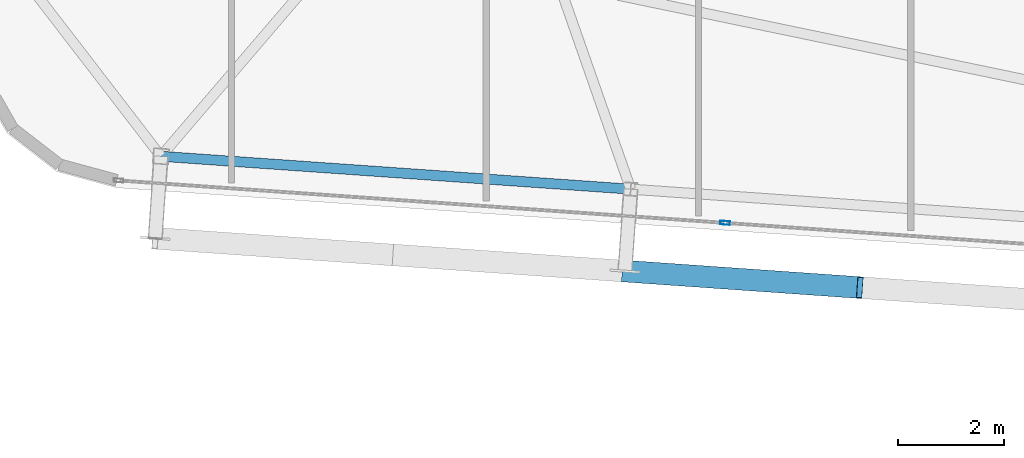
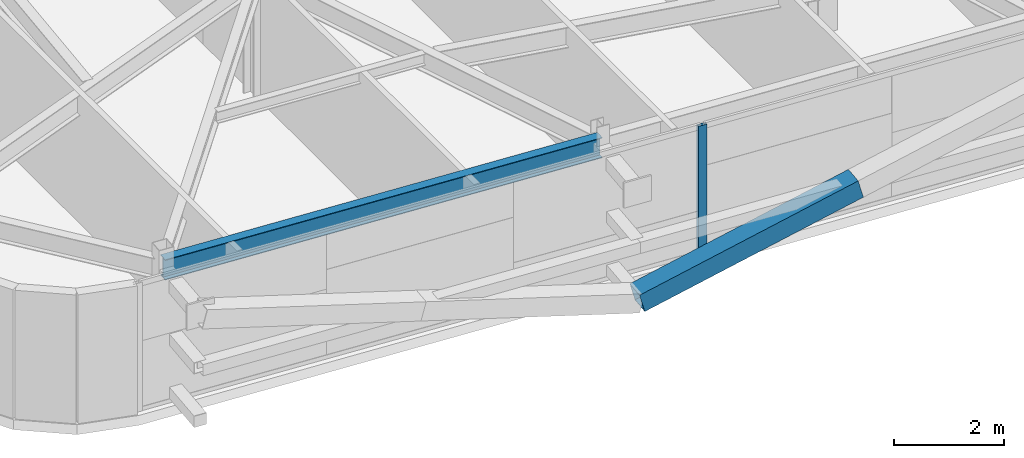
# One storey, part 7 of 39: 2 members, 1 beam, 1 element without a shape of its own.
"""IFC4 building model written with IfcOpenShell, lengths in metres."""

from ifc_helpers import new_model, si_unit, direction, frame, origin, origin_2d, place, context, subcontext, project, spatial, hollow_rectangle, i_section, extrude, source, transform, mapped, material, layer, layer_set, material_profile, profile_set, type_object, element, aggregate, save


model = new_model("IFC4")

# Units and contexts
model_context = context("Model", 3, precision=1e-05, world=origin(), true_north=direction((0.0, 1.0)))
body_context = subcontext(model_context, "Body", "Model", "MODEL_VIEW")
ifc_project = project(units=[si_unit("LENGTHUNIT", "METRE"), si_unit("AREAUNIT", "SQUARE_METRE"), si_unit("VOLUMEUNIT", "CUBIC_METRE"), si_unit("PLANEANGLEUNIT", "RADIAN"), si_unit("MASSUNIT", "GRAM", prefix="KILO")], contexts=[model_context])

# Site, building, storey
site_placement = place(None, origin())
site = spatial("IfcSite", under=ifc_project, at=site_placement, CompositionType="ELEMENT")
building_placement = place(site_placement, origin())
building = spatial("IfcBuilding", under=site, at=building_placement, Name="Taldren Reach Tower", CompositionType="ELEMENT")
storey_placement = place(building_placement, frame((0.0, 0.0, 161.35009765625)))
storey = spatial("IfcBuildingStorey", under=building, at=storey_placement, Name="L49", CompositionType="ELEMENT", Elevation=161.35009765625)

# Beam
ifc_material_1 = material(Name="Steel Gr 350 (350PLUS)", Category="steel")
ifc_material_profile_1 = material_profile(ifc_material_1, i_section(OverallWidth=0.18994140625, OverallDepth=0.4541015625, WebThickness=0.008544921875, FlangeThickness=0.0126953125, at=origin_2d()), Name="460UB67.1")
ifc_profile_set_1 = profile_set([ifc_material_profile_1], Name="Steel Gr 350 (350PLUS)")
beam_type = type_object("IfcBeamType", Name="SP-UB460B", PredefinedType="SPANDREL", material=ifc_profile_set_1)
shared_shape_1 = source(origin(), body_context, "Body", "SweptSolid", [
    extrude(i_section(OverallWidth=0.18994140625, OverallDepth=0.4541015625, WebThickness=0.008544921875, FlangeThickness=0.0126953125, at=origin_2d()), origin(), (0.0, 0.0, 1.0), 8.880126953125),
])
beam_placement = place(storey_placement, frame((11.863525390625, 5.33837890625, 2.642822265625), z_axis=(0.997564479639, -0.069750333063, 0.0), x_axis=(0.069750333063, 0.997564479639, 0.0)))
element("IfcBeam", 1, at=beam_placement, inside=storey, type_object=beam_type, Name="Perimeter spandrel B3 S1-S2 L49", PredefinedType="SPANDREL", context=body_context, shape_type="MappedRepresentation", body=[
    mapped(shared_shape_1, transform((0.0, 0.0, 0.0), scale=1.0)),
])

# Member
ifc_material_2 = material(Name="Steel Gr 450 (C450L0)", Category="steel")
ifc_material_profile_2 = material_profile(ifc_material_2, hollow_rectangle(XDim=0.409912109375, YDim=0.409912109375, WallThickness=0.01611328125, at=origin_2d()), Name="410x410x16.0SHS")
ifc_profile_set_2 = profile_set([ifc_material_profile_2], Name="Steel Gr 450 (C450L0)")
member_type_1 = type_object("IfcMemberType", Name="MB-EXO406", PredefinedType="BRACE", material=ifc_profile_set_2)
shared_shape_2 = source(origin(), body_context, "Body", "SweptSolid", [
    extrude(hollow_rectangle(XDim=0.409912109375, YDim=0.409912109375, WallThickness=0.01611328125, at=origin_2d()), origin(), (0.0, 0.0, 1.0), 4.595458984375),
])
member_1_placement = place(storey_placement, frame((20.61376953125, 3.1728515625, 0.219970703125), z_axis=(0.963836084766, -0.06741858624, 0.257826949585), x_axis=(0.06977769246, 0.997562566276, 0.0)))
element("IfcMember", 2, at=member_1_placement, inside=storey, type_object=member_type_1, Name="Exoskeleton Diagrid Brace B3-S2 L49", PredefinedType="BRACE", context=body_context, shape_type="MappedRepresentation", body=[
    mapped(shared_shape_2, transform((0.0, 0.0, 0.0), scale=1.0)),
])

# Curtain wall, member
ifc_material_3 = material(Name="Aluminium and Low-E Glass Unitised System", Category="aluminium")
ifc_layer = layer(ifc_material_3, 0.159912109375)
ifc_layer_set = layer_set([ifc_layer], Name="Aluminium and Low-E Glass Unitised System")
curtain_wall_type = type_object("IfcCurtainWallType", Name="CW-SYS-4", PredefinedType="NOTDEFINED", material=ifc_layer_set)
curtain_wall_placement = place(storey_placement, origin())
curtain_wall = element("IfcCurtainWall", 3, at=curtain_wall_placement, inside=storey, type_object=curtain_wall_type, Name="Unitised curtain wall CW-L49-S", PredefinedType="NOTDEFINED")
ifc_material_4 = material(Name="Anodised Aluminium 6063-T6", Category="aluminium")
ifc_material_profile_3 = material_profile(ifc_material_4, hollow_rectangle(XDim=0.070068359375, YDim=0.179931640625, WallThickness=0.00390625, at=origin_2d()), Name="ALU-180x70x4RHS")
ifc_profile_set_3 = profile_set([ifc_material_profile_3], Name="Anodised Aluminium 6063-T6")
member_type_2 = type_object("IfcMemberType", Name="CW-MUL-180", PredefinedType="MULLION", material=ifc_profile_set_3)
shared_shape_3 = source(origin(), body_context, "Body", "SweptSolid", [
    extrude(hollow_rectangle(XDim=0.070068359375, YDim=0.179931640625, WallThickness=0.00390625, at=origin_2d()), origin(), (0.0, 0.0, 1.0), 2.869873046875),
])
member_2_placement = place(storey_placement, frame((22.501953125, 4.083251953125, 0.0), z_axis=(0.0, 0.0, 1.0), x_axis=(0.06975651593, 0.99756404731, 0.0)))
member_2 = element("IfcMember", 4, at=member_2_placement, type_object=member_type_2, Name="CW-4 mullion 2", PredefinedType="MULLION", context=body_context, shape_type="MappedRepresentation", body=[
    mapped(shared_shape_3, transform((0.0, 0.0, 0.0), scale=1.0)),
])
aggregate(curtain_wall, [member_2])

save(model, "model.ifc")
